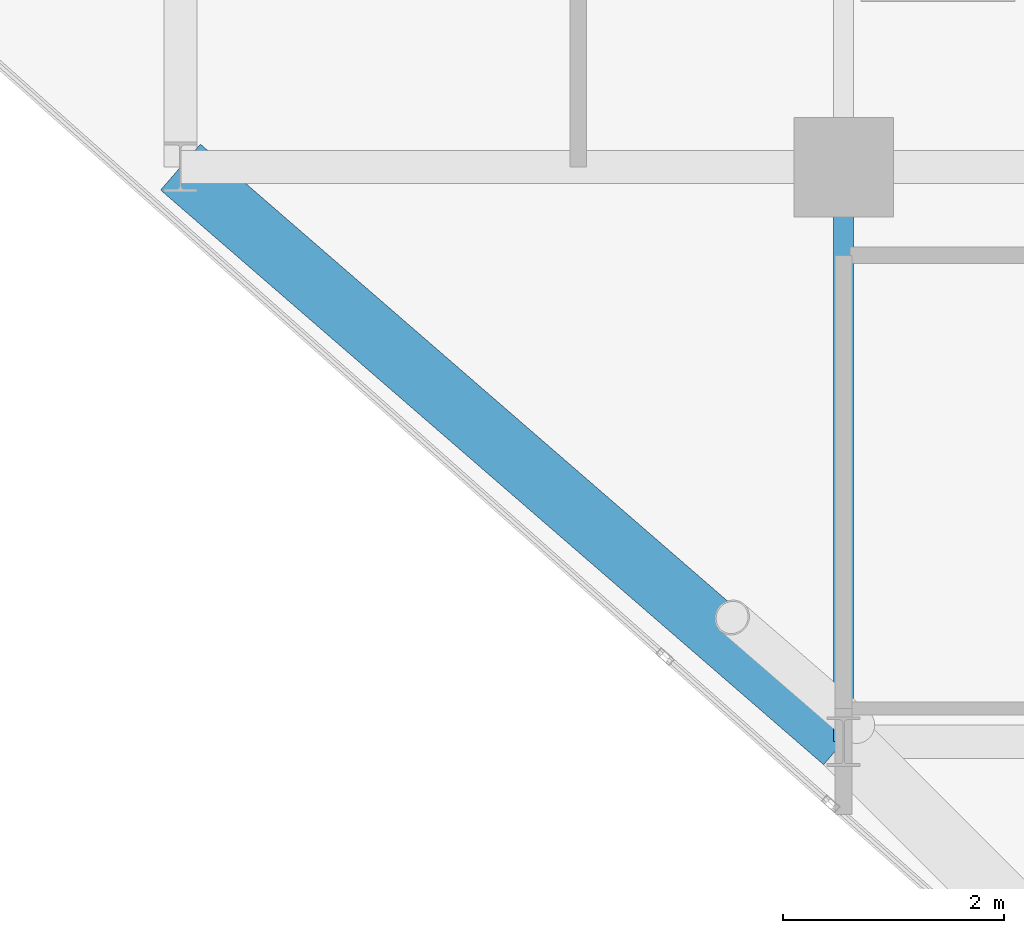
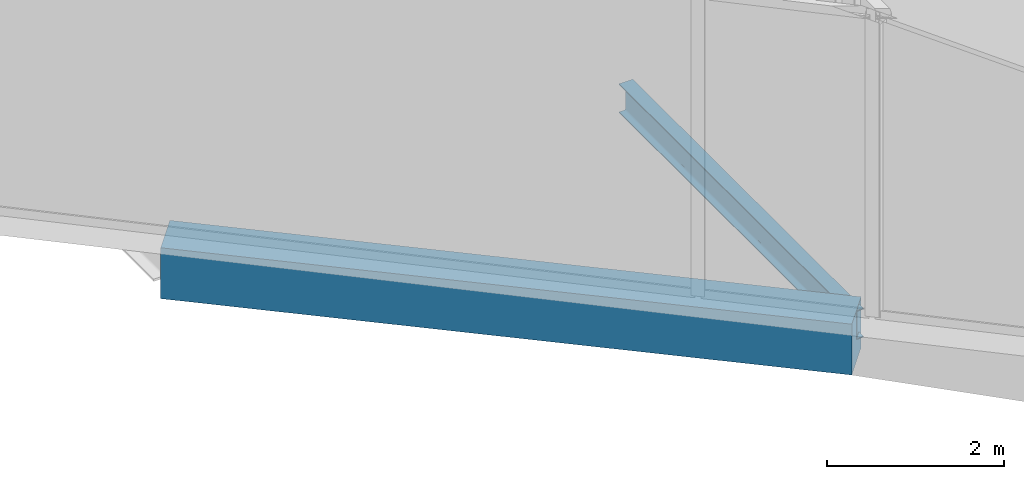
# One storey, part 5 of 31: 2 beams.
"""IFC4 building model written with IfcOpenShell, lengths in metres."""

from ifc_helpers import new_model, si_unit, direction, frame, origin, origin_2d, place, context, subcontext, project, spatial, rectangle, i_section, extrude, material, material_profile, profile_set, type_object, element, save


model = new_model("IFC4")

# Units and contexts
model_context = context("Model", 3, precision=1e-05, world=origin(), true_north=direction((0.0, 1.0)))
body_context = subcontext(model_context, "Body", "Model", "MODEL_VIEW")
ifc_project = project(units=[si_unit("LENGTHUNIT", "METRE"), si_unit("AREAUNIT", "SQUARE_METRE"), si_unit("VOLUMEUNIT", "CUBIC_METRE"), si_unit("PLANEANGLEUNIT", "RADIAN"), si_unit("MASSUNIT", "GRAM", prefix="KILO")], contexts=[model_context])

# Site, building, storey
site_placement = place(None, origin())
site = spatial("IfcSite", under=ifc_project, at=site_placement, CompositionType="ELEMENT")
building_placement = place(site_placement, origin())
building = spatial("IfcBuilding", under=site, at=building_placement, Name="Keshet Zoharim Tower", CompositionType="ELEMENT")
storey_placement = place(building_placement, frame((0.0, 0.0, 183.89990234375)))
storey = spatial("IfcBuildingStorey", under=building, at=storey_placement, Name="L45", CompositionType="ELEMENT", Elevation=183.89990234375)

# Beams
ifc_material_1 = material(Name="Steel S355", Category="steel")
ifc_material_profile_1 = material_profile(ifc_material_1, i_section(OverallWidth=0.179931640625, OverallDepth=0.39990234375, WebThickness=0.008544921875, FlangeThickness=0.013427734375, FilletRadius=0.02099609375, at=origin_2d()), Name="IPE400")
ifc_profile_set_1 = profile_set([ifc_material_profile_1], Name="Steel S355")
beam_type_1 = type_object("IfcBeamType", Name="BM-PRI-IP400", PredefinedType="BEAM", material=ifc_profile_set_1)
beam_1_placement = place(storey_placement, frame((15.0, 12.699951171875, -0.52001953125), z_axis=(0.0, 1.0, 0.0), x_axis=(-1.0, 0.0, 0.0)))
element("IfcBeam", 1, at=beam_1_placement, inside=storey, type_object=beam_type_1, Name="L45 Primary Girder Y-002", PredefinedType="BEAM", context=body_context, shape_type="SweptSolid", body=[
    extrude(i_section(OverallWidth=0.179931640625, OverallDepth=0.39990234375, WebThickness=0.008544921875, FlangeThickness=0.013427734375, FilletRadius=0.02099609375, at=origin_2d()), origin(), (0.0, 0.0, 1.0), 5.199951171875),
])
ifc_material_2 = material(Name="Concrete C50/60", Category="concrete")
ifc_material_profile_2 = material_profile(ifc_material_2, rectangle(XDim=0.550048828125, YDim=0.699951171875, at=origin_2d()), Name="RC700x550")
ifc_profile_set_2 = profile_set([ifc_material_profile_2], Name="Concrete C50/60")
beam_type_2 = type_object("IfcBeamType", Name="BM-SPN-700", PredefinedType="SPANDREL", material=ifc_profile_set_2)
beam_2_placement = place(storey_placement, frame((9.0, 17.89990234375, -0.669921875), z_axis=(0.755692126483, -0.654927026447, 0.0), x_axis=(0.654927026447, 0.755692126483, 0.0)))
element("IfcBeam", 2, at=beam_2_placement, inside=storey, type_object=beam_type_2, Name="L45 Perimeter Spandrel Beam 02", PredefinedType="SPANDREL", context=body_context, shape_type="SweptSolid", body=[
    extrude(rectangle(XDim=0.550048828125, YDim=0.699951171875, at=origin_2d()), origin(), (0.0, 0.0, 1.0), 7.939697265625),
])

save(model, "model.ifc")
